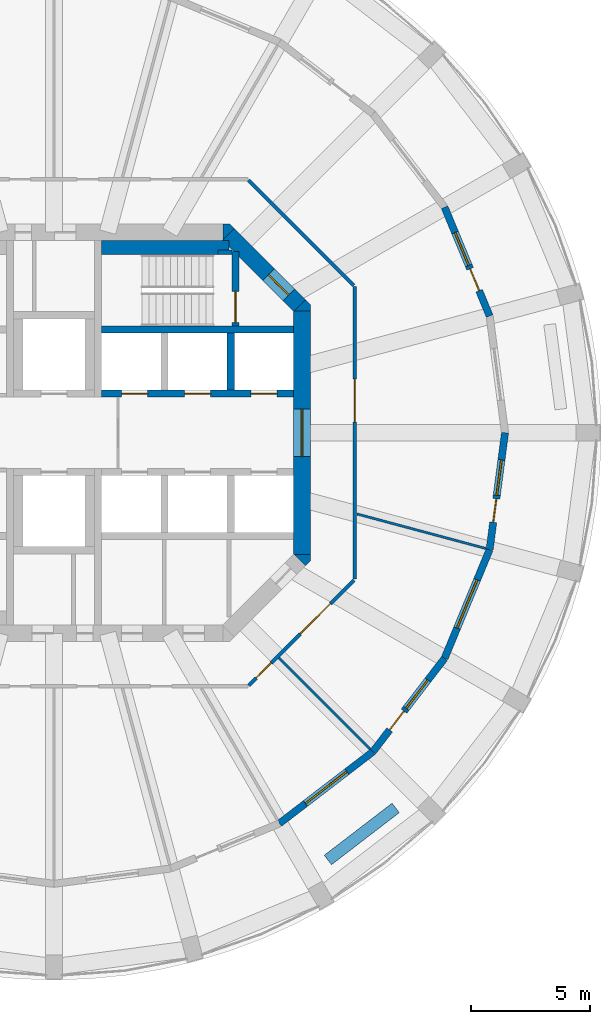
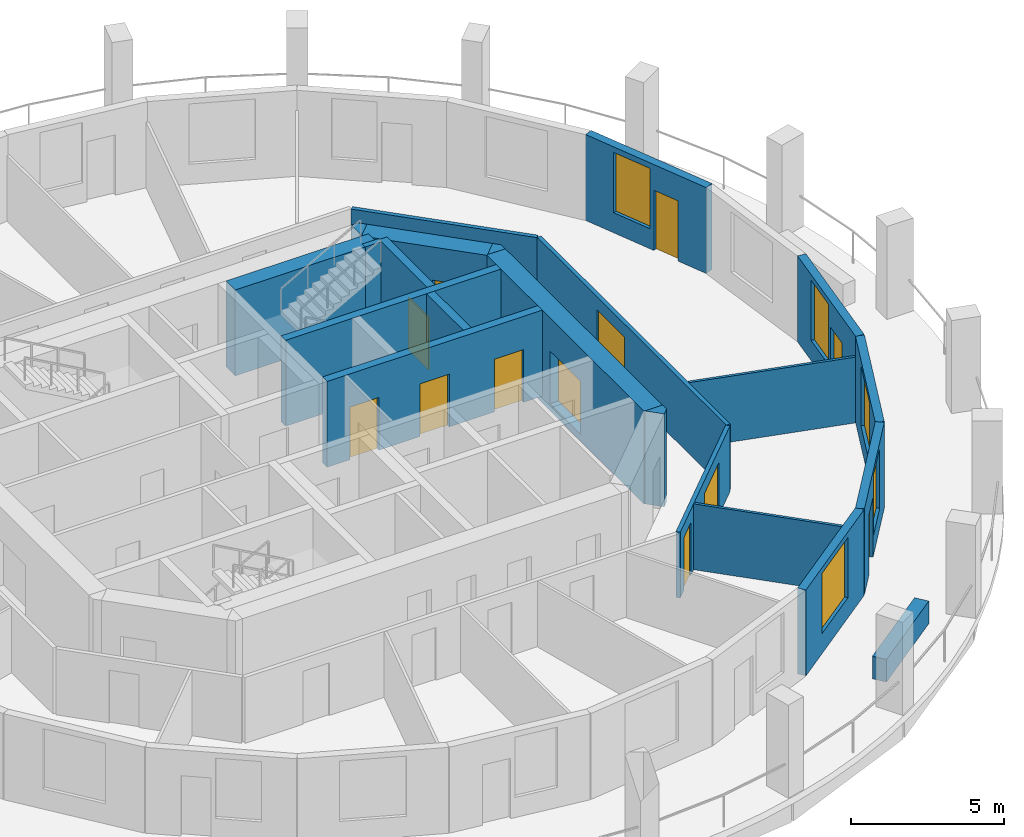
# One storey, part 5 of 9: 22 walls, 12 doors, 5 windows, 17 openings.
"""IFC4 building model written with IfcOpenShell, lengths in metres."""

from ifc_helpers import new_model, si_unit, direction, frame, frame_2d, origin, place, context, subcontext, project, spatial, polyline, rectangle, outline, extrude, material, layer, layer_set, type_object, element, fill, save


model = new_model("IFC4")

# Units and contexts
model_context = context("Model", 3, precision=1e-05, world=origin(), true_north=direction((0.0, 1.0)))
body_context = subcontext(model_context, "Body", "Model", "MODEL_VIEW")
ifc_project = project(units=[si_unit("LENGTHUNIT", "METRE"), si_unit("AREAUNIT", "SQUARE_METRE"), si_unit("VOLUMEUNIT", "CUBIC_METRE"), si_unit("PLANEANGLEUNIT", "RADIAN"), si_unit("MASSUNIT", "GRAM", prefix="KILO")], contexts=[model_context])

# Site, building, storey
site_placement = place(None, origin())
site = spatial("IfcSite", under=ifc_project, at=site_placement, CompositionType="ELEMENT")
building_placement = place(site_placement, origin())
building = spatial("IfcBuilding", under=site, at=building_placement, Name="Torre Triforio", CompositionType="ELEMENT")
storey_placement = place(building_placement, frame((0.0, 0.0, 180.10009765625)))
storey = spatial("IfcBuildingStorey", under=building, at=storey_placement, Name="L41", CompositionType="ELEMENT", Elevation=180.10009765625)

# Wall, opening, door
ifc_material_1 = material(Name="Concrete C50", Category="concrete")
ifc_layer_1 = layer(ifc_material_1, 0.699951171875)
ifc_layer_set_1 = layer_set([ifc_layer_1], Name="Concrete C50")
wall_type_1 = type_object("IfcWallType", Name="Core wall 700 mm C50 EI 120", PredefinedType="SHEAR", material=ifc_layer_set_1)
wall_1_placement = place(storey_placement, frame((10.449951171875, -5.1298828125, -0.280029296875), z_axis=(0.0, 0.0, 1.0), x_axis=(0.0, 1.0, 0.0)))
wall_1 = element("IfcWall", 1, at=wall_1_placement, inside=storey, type_object=wall_type_1, Name="Core wall", PredefinedType="SHEAR", context=body_context, shape_type="SweptSolid", body=[
    extrude(rectangle(XDim=10.259765625, YDim=0.699951171875, at=frame_2d((5.1298828125, 0.0))), origin(), (0.0, 0.0, 1.0), 3.699951171875),
])
opening_1_placement = place(wall_1_placement, frame((4.1298828125, 0.0, 0.280029296875)))
opening_1 = element("IfcOpeningElement", 2, at=opening_1_placement, cuts=wall_1, Name="Opening E-RING", PredefinedType="OPENING", context=body_context, shape_type="SweptSolid", body=[
    extrude(rectangle(XDim=2.0, YDim=2.10009765625, at=frame_2d((1.0, 1.050048828125))), frame((0.0, 0.35986328125, 0.0), z_axis=(0.0, -1.0, 0.0), x_axis=(1.0, 0.0, 0.0)), (0.0, 0.0, 1.0), 0.719970703125),
])
ifc_material_2 = material(Name="Hollow metal fire door leaf")
door_type_1 = type_object("IfcDoorType", Name="Lobby door 2000 x 2100 EI 60", OperationType="DOUBLE_DOOR_SINGLE_SWING", PredefinedType="DOOR", material=ifc_material_2)
door_1_placement = place(opening_1_placement, origin())
door_1 = element("IfcDoor", 3, at=door_1_placement, inside=storey, type_object=door_type_1, Name="Core door E-RING", OperationType="DOUBLE_DOOR_SINGLE_SWING", OverallHeight=2.10009765625, OverallWidth=2.0, PredefinedType="DOOR", context=body_context, shape_type="SweptSolid", body=[
    extrude(rectangle(XDim=2.0, YDim=2.10009765625, at=frame_2d((1.0, 1.050048828125))), frame((0.0, 0.02490234375, 0.0), z_axis=(0.0, -1.0, 0.0), x_axis=(1.0, 0.0, 0.0)), (0.0, 0.0, 1.0), 0.050048828125),
])
fill(opening_1, door_1)

wall_2_placement = place(storey_placement, frame((7.347412109375, 8.347412109375, -0.280029296875), z_axis=(0.0, 0.0, 1.0), x_axis=(0.707106781187, -0.707106781187, 0.0)))
wall_2 = element("IfcWall", 4, at=wall_2_placement, inside=storey, type_object=wall_type_1, Name="Core wall", PredefinedType="SHEAR", context=body_context, shape_type="SweptSolid", body=[
    extrude(rectangle(XDim=4.24267578125, YDim=0.699951171875, at=frame_2d((2.121337890625, 0.0))), origin(), (0.0, 0.0, 1.0), 3.699951171875),
])
opening_2_placement = place(wall_2_placement, frame((2.392578125, 0.0, 0.280029296875)))
opening_2 = element("IfcOpeningElement", 5, at=opening_2_placement, cuts=wall_2, Name="Opening ST2-EXIT", PredefinedType="OPENING", context=body_context, shape_type="SweptSolid", body=[
    extrude(rectangle(XDim=1.199951171875, YDim=2.10009765625, at=frame_2d((0.60009765625, 1.050048828125))), frame((0.0, 0.35986328125, 0.0), z_axis=(0.0, -1.0, 0.0), x_axis=(1.0, 0.0, 0.0)), (0.0, 0.0, 1.0), 0.719970703125),
])
door_type_2 = type_object("IfcDoorType", Name="Stair lobby door 1200 x 2100 EI 60", OperationType="NOTDEFINED", PredefinedType="DOOR", material=ifc_material_2)
door_2_placement = place(opening_2_placement, origin())
door_2 = element("IfcDoor", 6, at=door_2_placement, inside=storey, type_object=door_type_2, Name="Core door ST2-EXIT", OperationType="SINGLE_SWING_RIGHT", OverallHeight=2.10009765625, OverallWidth=1.199951171875, PredefinedType="DOOR", context=body_context, shape_type="SweptSolid", body=[
    extrude(rectangle(XDim=1.199951171875, YDim=2.10009765625, at=frame_2d((0.60009765625, 1.050048828125))), frame((0.0, 0.02490234375, 0.0), z_axis=(0.0, -1.0, 0.0), x_axis=(1.0, 0.0, 0.0)), (0.0, 0.0, 1.0), 0.050048828125),
])
fill(opening_2, door_2)

# Walls
wall_3_placement = place(storey_placement, frame((0.0, 0.0, -0.280029296875)))
element("IfcWall", 7, at=wall_3_placement, inside=storey, type_object=wall_type_1, Name="Core wall", PredefinedType="SHEAR", context=body_context, shape_type="SweptSolid", body=[
    extrude(outline(polyline([(10.800048828125, -5.389892578125), (10.594970703125, -5.594970703125), (10.594970703125, -5.594970703125), (10.594970703125, -5.594970703125), (10.1298828125, -5.1298828125), (10.800048828125, -5.1298828125), (10.800048828125, -5.1298828125), (10.800048828125, -5.389892578125)])), origin(), (0.0, 0.0, 1.0), 3.699951171875),
])
wall_4_placement = place(storey_placement, frame((0.0, 0.0, -0.280029296875)))
element("IfcWall", 8, at=wall_4_placement, inside=storey, type_object=wall_type_1, Name="Core wall", PredefinedType="SHEAR", context=body_context, shape_type="SweptSolid", body=[
    extrude(outline(polyline([(10.800048828125, 5.389892578125), (10.800048828125, 5.1298828125), (10.800048828125, 5.1298828125), (10.1298828125, 5.1298828125), (10.594970703125, 5.594970703125), (10.594970703125, 5.594970703125), (10.594970703125, 5.594970703125), (10.800048828125, 5.389892578125)])), origin(), (0.0, 0.0, 1.0), 3.699951171875),
])
wall_5_placement = place(storey_placement, frame((0.0, 0.0, -0.280029296875)))
element("IfcWall", 9, at=wall_5_placement, inside=storey, type_object=wall_type_1, Name="Core wall", PredefinedType="SHEAR", context=body_context, shape_type="SweptSolid", body=[
    extrude(outline(polyline([(7.389892578125, 8.800048828125), (7.594970703125, 8.594970703125), (7.594970703125, 8.594970703125), (7.594970703125, 8.594970703125), (7.1298828125, 8.1298828125), (7.1298828125, 8.800048828125), (7.1298828125, 8.800048828125), (7.389892578125, 8.800048828125)])), origin(), (0.0, 0.0, 1.0), 3.699951171875),
])

# Wall, openings, doors
ifc_material_3 = material(Name="Plasterboard on metal studs")
ifc_layer_2 = layer(ifc_material_3, 0.14990234375)
ifc_layer_set_2 = layer_set([ifc_layer_2], Name="Plasterboard on metal studs")
wall_type_2 = type_object("IfcWallType", Name="Corridor and tenancy wall 150 mm EI 60", PredefinedType="PARTITIONING", material=ifc_layer_set_2)
wall_6_placement = place(storey_placement, frame((12.637939453125, -6.20361328125, 0.0), z_axis=(0.0, 0.0, 1.0), x_axis=(-0.707106781187, -0.707106781187, 0.0)))
wall_6 = element("IfcWall", 10, at=wall_6_placement, inside=storey, type_object=wall_type_2, Name="Partition 1", PredefinedType="PARTITIONING", context=body_context, shape_type="SweptSolid", body=[
    extrude(rectangle(XDim=6.27099609375, YDim=0.14990234375, at=frame_2d((3.135498046875, 0.0))), origin(), (0.0, 0.0, 1.0), 2.619873046875),
])
opening_3_placement = place(wall_6_placement, frame((4.935302734375, 0.0, 0.0)))
opening_3 = element("IfcOpeningElement", 11, at=opening_3_placement, cuts=wall_6, Name="Opening O3-08", PredefinedType="OPENING", context=body_context, shape_type="SweptSolid", body=[
    extrude(rectangle(XDim=0.89990234375, YDim=2.10009765625, at=frame_2d((0.449951171875, 1.050048828125))), frame((0.0, 0.0849609375, 0.0), z_axis=(0.0, -1.0, 0.0), x_axis=(1.0, 0.0, 0.0)), (0.0, 0.0, 1.0), 0.169921875),
])
opening_4_placement = place(wall_6_placement, frame((1.39990234375, 0.0, 0.0)))
opening_4 = element("IfcOpeningElement", 12, at=opening_4_placement, cuts=wall_6, Name="Opening O3-09", PredefinedType="OPENING", context=body_context, shape_type="SweptSolid", body=[
    extrude(rectangle(XDim=1.800048828125, YDim=2.10009765625, at=frame_2d((0.89990234375, 1.050048828125))), frame((0.0, 0.0849609375, 0.0), z_axis=(0.0, -1.0, 0.0), x_axis=(1.0, 0.0, 0.0)), (0.0, 0.0, 1.0), 0.169921875),
])
ifc_material_4 = material(Name="Timber", Category="wood")
door_type_3 = type_object("IfcDoorType", Name="Door 1800 x 2100 double leaf EI 30", OperationType="DOUBLE_DOOR_SINGLE_SWING", PredefinedType="DOOR", material=ifc_material_4)
door_3_placement = place(opening_4_placement, origin())
door_3 = element("IfcDoor", 13, at=door_3_placement, inside=storey, type_object=door_type_3, Name="Door O3-09", OperationType="DOUBLE_DOOR_SINGLE_SWING", OverallHeight=2.10009765625, OverallWidth=1.800048828125, PredefinedType="DOOR", context=body_context, shape_type="SweptSolid", body=[
    extrude(rectangle(XDim=1.800048828125, YDim=2.10009765625, at=frame_2d((0.89990234375, 1.050048828125))), frame((0.0, 0.02490234375, 0.0), z_axis=(0.0, -1.0, 0.0), x_axis=(1.0, 0.0, 0.0)), (0.0, 0.0, 1.0), 0.050048828125),
])
fill(opening_4, door_3)
door_type_4 = type_object("IfcDoorType", Name="Door 900 x 2100 single leaf EI 30", OperationType="NOTDEFINED", PredefinedType="DOOR", material=ifc_material_4)
door_4_placement = place(opening_3_placement, origin())
door_4 = element("IfcDoor", 14, at=door_4_placement, inside=storey, type_object=door_type_4, Name="Door O3-08", OperationType="SINGLE_SWING_LEFT", OverallHeight=2.10009765625, OverallWidth=0.89990234375, PredefinedType="DOOR", context=body_context, shape_type="SweptSolid", body=[
    extrude(rectangle(XDim=0.89990234375, YDim=2.10009765625, at=frame_2d((0.449951171875, 1.050048828125))), frame((0.0, 0.02490234375, 0.0), z_axis=(0.0, -1.0, 0.0), x_axis=(1.0, 0.0, 0.0)), (0.0, 0.0, 1.0), 0.050048828125),
])
fill(opening_3, door_4)

# Wall
wall_7_placement = place(storey_placement, frame((8.20361328125, 10.637939453125, 0.0), z_axis=(0.0, 0.0, 1.0), x_axis=(0.707106781187, -0.707106781187, 0.0)))
element("IfcWall", 15, at=wall_7_placement, inside=storey, type_object=wall_type_2, Name="Partition 7", PredefinedType="PARTITIONING", context=body_context, shape_type="SweptSolid", body=[
    extrude(rectangle(XDim=6.27099609375, YDim=0.14990234375, at=frame_2d((3.135498046875, 0.0))), origin(), (0.0, 0.0, 1.0), 2.619873046875),
])

# Wall, opening, door
wall_8_placement = place(storey_placement, frame((12.675048828125, 6.16650390625, 0.0), z_axis=(0.0, 0.0, 1.0), x_axis=(0.0, -1.0, 0.0)))
wall_8 = element("IfcWall", 16, at=wall_8_placement, inside=storey, type_object=wall_type_2, Name="Partition 8", PredefinedType="PARTITIONING", context=body_context, shape_type="SweptSolid", body=[
    extrude(rectangle(XDim=12.3330078125, YDim=0.14990234375, at=frame_2d((6.16650390625, 0.0))), origin(), (0.0, 0.0, 1.0), 2.619873046875),
])
opening_5_placement = place(wall_8_placement, frame((3.9072265625, 0.0, 0.0)))
opening_5 = element("IfcOpeningElement", 17, at=opening_5_placement, cuts=wall_8, Name="Opening O3-10", PredefinedType="OPENING", context=body_context, shape_type="SweptSolid", body=[
    extrude(rectangle(XDim=1.800048828125, YDim=2.10009765625, at=frame_2d((0.89990234375, 1.050048828125))), frame((0.0, 0.0849609375, 0.0), z_axis=(0.0, -1.0, 0.0), x_axis=(1.0, 0.0, 0.0)), (0.0, 0.0, 1.0), 0.169921875),
])
door_5_placement = place(opening_5_placement, origin())
door_5 = element("IfcDoor", 18, at=door_5_placement, inside=storey, type_object=door_type_3, Name="Door O3-10", OperationType="DOUBLE_DOOR_SINGLE_SWING", OverallHeight=2.10009765625, OverallWidth=1.800048828125, PredefinedType="DOOR", context=body_context, shape_type="SweptSolid", body=[
    extrude(rectangle(XDim=1.800048828125, YDim=2.10009765625, at=frame_2d((0.89990234375, 1.050048828125))), frame((0.0, 0.02490234375, 0.0), z_axis=(0.0, -1.0, 0.0), x_axis=(1.0, 0.0, 0.0)), (0.0, 0.0, 1.0), 0.050048828125),
])
fill(opening_5, door_5)

# Walls
ifc_layer_3 = layer(ifc_material_3, 0.10009765625)
ifc_layer_set_3 = layer_set([ifc_layer_3], Name="Plasterboard on metal studs")
wall_type_3 = type_object("IfcWallType", Name="Partition 100 mm board on metal studs", PredefinedType="PARTITIONING", material=ifc_layer_set_3)
wall_9_placement = place(storey_placement, frame((9.473876953125, -9.473876953125, 0.0), z_axis=(0.0, 0.0, 1.0), x_axis=(0.707106781187, -0.707106781187, 0.0)))
element("IfcWall", 19, at=wall_9_placement, inside=storey, type_object=wall_type_3, Name="Partition 22", PredefinedType="PARTITIONING", context=body_context, shape_type="SweptSolid", body=[
    extrude(rectangle(XDim=5.438720703125, YDim=0.10009765625, at=frame_2d((2.71923828125, 0.0))), origin(), (0.0, 0.0, 1.0), 2.619873046875),
])
wall_10_placement = place(storey_placement, frame((12.764404296875, -3.420166015625, 0.0), z_axis=(0.0, 0.0, 1.0), x_axis=(0.965925759926, -0.258819292773, 0.0)))
element("IfcWall", 20, at=wall_10_placement, inside=storey, type_object=wall_type_3, Name="Partition 23", PredefinedType="PARTITIONING", context=body_context, shape_type="SweptSolid", body=[
    extrude(rectangle(XDim=5.6220703125, YDim=0.10009765625, at=frame_2d((2.81103515625, 0.0))), origin(), (0.0, 0.0, 1.0), 2.619873046875),
])
ifc_material_5 = material(Name="Limestone cladding", Category="masonry")
ifc_layer_4 = layer(ifc_material_5, 0.10009765625)
ifc_material_6 = material(Name="Concrete C40", Category="concrete")
ifc_layer_5 = layer(ifc_material_6, 0.39990234375)
ifc_layer_set_4 = layer_set([ifc_layer_4, ifc_layer_5], Name="Limestone cladding / Concrete C40")
wall_type_4 = type_object("IfcWallType", Name="Planter wall 500", PredefinedType="PARAPET", material=ifc_layer_set_4)
wall_11_placement = place(storey_placement, frame((11.53857421875, -17.994140625, 0.0), z_axis=(0.0, 0.0, 1.0), x_axis=(0.793384730612, 0.608720518162, 0.0)))
element("IfcWall", 21, at=wall_11_placement, inside=storey, type_object=wall_type_4, Name="Planter L41 bay 21", PredefinedType="PARAPET", context=body_context, shape_type="SweptSolid", body=[
    extrude(rectangle(XDim=3.60009765625, YDim=0.5, at=frame_2d((1.800048828125, 0.0))), origin(), (0.0, 0.0, 1.0), 0.89990234375),
])
ifc_layer_6 = layer(ifc_material_1, 0.300048828125)
ifc_layer_set_5 = layer_set([ifc_layer_6], Name="Concrete C50")
wall_type_5 = type_object("IfcWallType", Name="Shaft wall 300 mm C50 EI 120", PredefinedType="SOLIDWALL", material=ifc_layer_set_5)
wall_12_placement = place(storey_placement, frame((2.0, 4.35009765625, 0.0), z_axis=(0.0, 0.0, 1.0), x_axis=(1.0, 0.0, 0.0)))
element("IfcWall", 22, at=wall_12_placement, inside=storey, type_object=wall_type_5, Name="Shaft wall", PredefinedType="SOLIDWALL", context=body_context, shape_type="SweptSolid", body=[
    extrude(rectangle(XDim=8.10009765625, YDim=0.300048828125, at=frame_2d((4.050048828125, 0.0))), origin(), (0.0, 0.0, 1.0), 3.419921875),
])

# Wall, openings, doors
wall_13_placement = place(storey_placement, frame((2.0, 1.64990234375, 0.0), z_axis=(0.0, 0.0, 1.0), x_axis=(1.0, 0.0, 0.0)))
wall_13 = element("IfcWall", 23, at=wall_13_placement, inside=storey, type_object=wall_type_5, Name="Shaft wall", PredefinedType="SOLIDWALL", context=body_context, shape_type="SweptSolid", body=[
    extrude(rectangle(XDim=8.10009765625, YDim=0.300048828125, at=frame_2d((4.050048828125, 0.0))), origin(), (0.0, 0.0, 1.0), 3.419921875),
])
opening_6_placement = place(wall_13_placement, frame((0.85009765625, 0.0, 0.0)))
opening_6 = element("IfcOpeningElement", 24, at=opening_6_placement, cuts=wall_13, Name="Opening LD", PredefinedType="OPENING", context=body_context, shape_type="SweptSolid", body=[
    extrude(rectangle(XDim=1.10009765625, YDim=2.10009765625, at=frame_2d((0.550048828125, 1.050048828125))), frame((0.0, 0.159912109375, 0.0), z_axis=(0.0, -1.0, 0.0), x_axis=(1.0, 0.0, 0.0)), (0.0, 0.0, 1.0), 0.320068359375),
])
opening_7_placement = place(wall_13_placement, frame((3.5, 0.0, 0.0)))
opening_7 = element("IfcOpeningElement", 25, at=opening_7_placement, cuts=wall_13, Name="Opening LD", PredefinedType="OPENING", context=body_context, shape_type="SweptSolid", body=[
    extrude(rectangle(XDim=1.10009765625, YDim=2.10009765625, at=frame_2d((0.550048828125, 1.050048828125))), frame((0.0, 0.159912109375, 0.0), z_axis=(0.0, -1.0, 0.0), x_axis=(1.0, 0.0, 0.0)), (0.0, 0.0, 1.0), 0.320068359375),
])
opening_8_placement = place(wall_13_placement, frame((6.300048828125, 0.0, 0.0)))
opening_8 = element("IfcOpeningElement", 26, at=opening_8_placement, cuts=wall_13, Name="Opening LD", PredefinedType="OPENING", context=body_context, shape_type="SweptSolid", body=[
    extrude(rectangle(XDim=1.10009765625, YDim=2.10009765625, at=frame_2d((0.550048828125, 1.050048828125))), frame((0.0, 0.159912109375, 0.0), z_axis=(0.0, -1.0, 0.0), x_axis=(1.0, 0.0, 0.0)), (0.0, 0.0, 1.0), 0.320068359375),
])
door_type_5 = type_object("IfcDoorType", Name="Landing door 1100 x 2100 EI 60", OperationType="DOUBLE_DOOR_SLIDING", PredefinedType="DOOR", material=ifc_material_2)
door_6_placement = place(opening_6_placement, origin())
door_6 = element("IfcDoor", 27, at=door_6_placement, inside=storey, type_object=door_type_5, Name="Landing door HR1", OperationType="DOUBLE_DOOR_SLIDING", OverallHeight=2.10009765625, OverallWidth=1.10009765625, PredefinedType="DOOR", context=body_context, shape_type="SweptSolid", body=[
    extrude(rectangle(XDim=1.10009765625, YDim=2.10009765625, at=frame_2d((0.550048828125, 1.050048828125))), frame((0.0, 0.02490234375, 0.0), z_axis=(0.0, -1.0, 0.0), x_axis=(1.0, 0.0, 0.0)), (0.0, 0.0, 1.0), 0.050048828125),
])
fill(opening_6, door_6)
door_7_placement = place(opening_7_placement, origin())
door_7 = element("IfcDoor", 28, at=door_7_placement, inside=storey, type_object=door_type_5, Name="Landing door HR2", OperationType="DOUBLE_DOOR_SLIDING", OverallHeight=2.10009765625, OverallWidth=1.10009765625, PredefinedType="DOOR", context=body_context, shape_type="SweptSolid", body=[
    extrude(rectangle(XDim=1.10009765625, YDim=2.10009765625, at=frame_2d((0.550048828125, 1.050048828125))), frame((0.0, 0.02490234375, 0.0), z_axis=(0.0, -1.0, 0.0), x_axis=(1.0, 0.0, 0.0)), (0.0, 0.0, 1.0), 0.050048828125),
])
fill(opening_7, door_7)
door_8_placement = place(opening_8_placement, origin())
door_8 = element("IfcDoor", 29, at=door_8_placement, inside=storey, type_object=door_type_5, Name="Landing door HR3", OperationType="DOUBLE_DOOR_SLIDING", OverallHeight=2.10009765625, OverallWidth=1.10009765625, PredefinedType="DOOR", context=body_context, shape_type="SweptSolid", body=[
    extrude(rectangle(XDim=1.10009765625, YDim=2.10009765625, at=frame_2d((0.550048828125, 1.050048828125))), frame((0.0, 0.02490234375, 0.0), z_axis=(0.0, -1.0, 0.0), x_axis=(1.0, 0.0, 0.0)), (0.0, 0.0, 1.0), 0.050048828125),
])
fill(opening_8, door_8)

# Walls
wall_14_placement = place(storey_placement, frame((7.449951171875, 1.800048828125, 0.0), z_axis=(0.0, 0.0, 1.0), x_axis=(0.0, 1.0, 0.0)))
element("IfcWall", 30, at=wall_14_placement, inside=storey, type_object=wall_type_5, Name="Shaft wall", PredefinedType="SOLIDWALL", context=body_context, shape_type="SweptSolid", body=[
    extrude(rectangle(XDim=2.39990234375, YDim=0.300048828125, at=frame_2d((1.199951171875, 0.0))), origin(), (0.0, 0.0, 1.0), 3.419921875),
])
ifc_layer_7 = layer(ifc_material_1, 0.199951171875)
ifc_layer_set_6 = layer_set([ifc_layer_7], Name="Concrete C50")
wall_type_6 = type_object("IfcWallType", Name="Stair wall 200 mm C50 EI 120", PredefinedType="SHEAR", material=ifc_layer_set_6)
wall_15_placement = place(storey_placement, frame((6.89990234375, 7.60009765625, 0.0), z_axis=(0.0, 0.0, 1.0), x_axis=(1.0, 0.0, 0.0)))
element("IfcWall", 31, at=wall_15_placement, inside=storey, type_object=wall_type_6, Name="Stair wall", PredefinedType="SHEAR", context=body_context, shape_type="SweptSolid", body=[
    extrude(rectangle(XDim=0.60009765625, YDim=0.199951171875, at=frame_2d((0.300048828125, 0.0))), origin(), (0.0, 0.0, 1.0), 3.419921875),
])

# Wall, opening, door
ifc_layer_8 = layer(ifc_material_1, 0.300048828125)
ifc_layer_set_7 = layer_set([ifc_layer_8], Name="Concrete C50")
wall_type_7 = type_object("IfcWallType", Name="Stair wall 300 mm C50 EI 120", PredefinedType="SHEAR", material=ifc_layer_set_7)
wall_16_placement = place(storey_placement, frame((7.64990234375, 4.5, 0.0), z_axis=(0.0, 0.0, 1.0), x_axis=(0.0, 1.0, 0.0)))
wall_16 = element("IfcWall", 32, at=wall_16_placement, inside=storey, type_object=wall_type_7, Name="Stair wall", PredefinedType="SHEAR", context=body_context, shape_type="SweptSolid", body=[
    extrude(rectangle(XDim=3.139892578125, YDim=0.300048828125, at=frame_2d((1.56982421875, 0.0))), origin(), (0.0, 0.0, 1.0), 3.419921875),
])
opening_9_placement = place(wall_16_placement, frame((0.139892578125, 0.0, 0.0)))
opening_9 = element("IfcOpeningElement", 33, at=opening_9_placement, cuts=wall_16, Name="Opening ST2-STA", PredefinedType="OPENING", context=body_context, shape_type="SweptSolid", body=[
    extrude(rectangle(XDim=1.320068359375, YDim=2.10009765625, at=frame_2d((0.66015625, 1.050048828125))), frame((0.0, 0.159912109375, 0.0), z_axis=(0.0, -1.0, 0.0), x_axis=(1.0, 0.0, 0.0)), (0.0, 0.0, 1.0), 0.320068359375),
])
door_type_6 = type_object("IfcDoorType", Name="Stair door 1320 x 2100 EI 90", OperationType="DOUBLE_DOOR_SINGLE_SWING", PredefinedType="DOOR", material=ifc_material_2)
door_9_placement = place(opening_9_placement, origin())
door_9 = element("IfcDoor", 34, at=door_9_placement, inside=storey, type_object=door_type_6, Name="Core door ST2-ST", OperationType="DOUBLE_DOOR_SINGLE_SWING", OverallHeight=2.10009765625, OverallWidth=1.320068359375, PredefinedType="DOOR", context=body_context, shape_type="SweptSolid", body=[
    extrude(rectangle(XDim=1.320068359375, YDim=2.10009765625, at=frame_2d((0.66015625, 1.050048828125))), frame((0.0, 0.02490234375, 0.0), z_axis=(0.0, -1.0, 0.0), x_axis=(1.0, 0.0, 0.0)), (0.0, 0.0, 1.0), 0.050048828125),
])
fill(opening_9, door_9)

# Wall
ifc_layer_9 = layer(ifc_material_1, 0.60009765625)
ifc_layer_set_8 = layer_set([ifc_layer_9], Name="Concrete C50")
wall_type_8 = type_object("IfcWallType", Name="Stair wall 600 mm C50 EI 120", PredefinedType="SHEAR", material=ifc_layer_set_8)
wall_17_placement = place(storey_placement, frame((2.0, 7.800048828125, 0.0), z_axis=(0.0, 0.0, 1.0), x_axis=(1.0, 0.0, 0.0)))
element("IfcWall", 35, at=wall_17_placement, inside=storey, type_object=wall_type_8, Name="Stair wall", PredefinedType="SHEAR", context=body_context, shape_type="SweptSolid", body=[
    extrude(rectangle(XDim=5.3701171875, YDim=0.60009765625, at=frame_2d((2.68505859375, 0.0))), origin(), (0.0, 0.0, 1.0), 3.419921875),
])

# Wall, openings, door, window
ifc_layer_10 = layer(ifc_material_5, 0.10009765625)
ifc_layer_11 = layer(ifc_material_6, 0.199951171875)
ifc_layer_set_9 = layer_set([ifc_layer_10, ifc_layer_11], Name="Limestone cladding / Concrete C40")
wall_type_9 = type_object("IfcWallType", Name="Stone-faced composite wall 300", PredefinedType="STANDARD", material=ifc_layer_set_9)
wall_18_placement = place(storey_placement, frame((18.3525390625, 4.91748046875, 0.0), z_axis=(0.0, 0.0, 1.0), x_axis=(-0.382650301762, 0.923893254961, 0.0)))
wall_18 = element("IfcWall", 36, at=wall_18_placement, inside=storey, type_object=wall_type_9, Name="External wall L41 bay 02", PredefinedType="STANDARD", context=body_context, shape_type="SweptSolid", body=[
    extrude(rectangle(XDim=4.9599609375, YDim=0.300048828125, at=frame_2d((2.47998046875, 0.0))), origin(), (0.0, 0.0, 1.0), 3.419921875),
])
opening_10_placement = place(wall_18_placement, frame((1.155029296875, 0.0, 0.0)))
opening_10 = element("IfcOpeningElement", 37, at=opening_10_placement, cuts=wall_18, Name="Opening O3-D02", PredefinedType="OPENING", context=body_context, shape_type="SweptSolid", body=[
    extrude(rectangle(XDim=1.0, YDim=2.39990234375, at=frame_2d((0.5, 1.199951171875))), frame((0.0, 0.159912109375, 0.0), z_axis=(0.0, -1.0, 0.0), x_axis=(1.0, 0.0, 0.0)), (0.0, 0.0, 1.0), 0.320068359375),
])
opening_11_placement = place(wall_18_placement, frame((2.304931640625, 0.0, 0.800048828125)))
opening_11 = element("IfcOpeningElement", 38, at=opening_11_placement, cuts=wall_18, Name="Opening O3-W02A", PredefinedType="OPENING", context=body_context, shape_type="SweptSolid", body=[
    extrude(rectangle(XDim=1.5, YDim=2.39990234375, at=frame_2d((0.75, 1.199951171875))), frame((0.0, 0.159912109375, 0.0), z_axis=(0.0, -1.0, 0.0), x_axis=(1.0, 0.0, 0.0)), (0.0, 0.0, 1.0), 0.320068359375),
])
ifc_material_7 = material(Name="Aluminium frame with clear double glazing", Category="aluminium")
door_type_7 = type_object("IfcDoorType", Name="Loggia door 1000 x 2400", OperationType="NOTDEFINED", PredefinedType="DOOR", material=ifc_material_7)
door_10_placement = place(opening_10_placement, origin())
door_10 = element("IfcDoor", 39, at=door_10_placement, inside=storey, type_object=door_type_7, Name="Loggia door L41 bay 02", OperationType="SINGLE_SWING_LEFT", OverallHeight=2.39990234375, OverallWidth=1.0, PredefinedType="DOOR", context=body_context, shape_type="SweptSolid", body=[
    extrude(rectangle(XDim=1.0, YDim=2.39990234375, at=frame_2d((0.5, 1.199951171875))), frame((0.0, 0.02490234375, 0.0), z_axis=(0.0, -1.0, 0.0), x_axis=(1.0, 0.0, 0.0)), (0.0, 0.0, 1.0), 0.050048828125),
])
fill(opening_10, door_10)
window_type_1 = type_object("IfcWindowType", Name="Side window 1500 x 2400", PartitioningType="SINGLE_PANEL", PredefinedType="WINDOW", material=ifc_material_7)
window_1_placement = place(opening_11_placement, origin())
window_1 = element("IfcWindow", 40, at=window_1_placement, inside=storey, type_object=window_type_1, Name="Side window EWN14 L41 bay 02", OverallHeight=2.39990234375, OverallWidth=1.5, PartitioningType="SINGLE_PANEL", PredefinedType="WINDOW", context=body_context, shape_type="SweptSolid", body=[
    extrude(rectangle(XDim=1.5, YDim=2.39990234375, at=frame_2d((0.75, 1.199951171875))), frame((0.0, 0.030029296875, 0.0), z_axis=(0.0, -1.0, 0.0), x_axis=(1.0, 0.0, 0.0)), (0.0, 0.0, 1.0), 0.06005859375),
])
fill(opening_11, window_1)

# Wall, opening, window
wall_19_placement = place(storey_placement, frame((9.5, -16.45458984375, 0.0), z_axis=(0.0, 0.0, 1.0), x_axis=(0.793348024649, 0.608768356425, 0.0)))
wall_19 = element("IfcWall", 41, at=wall_19_placement, inside=storey, type_object=wall_type_9, Name="External wall L41 bay 21", PredefinedType="STANDARD", context=body_context, shape_type="SweptSolid", body=[
    extrude(rectangle(XDim=4.9599609375, YDim=0.300048828125, at=frame_2d((2.47998046875, 0.0))), origin(), (0.0, 0.0, 1.0), 3.419921875),
])
opening_12_placement = place(wall_19_placement, frame((1.3798828125, 0.0, 0.800048828125)))
opening_12 = element("IfcOpeningElement", 42, at=opening_12_placement, cuts=wall_19, Name="Opening O3-W21", PredefinedType="OPENING", context=body_context, shape_type="SweptSolid", body=[
    extrude(rectangle(XDim=2.199951171875, YDim=2.39990234375, at=frame_2d((1.10009765625, 1.199951171875))), frame((0.0, 0.159912109375, 0.0), z_axis=(0.0, -1.0, 0.0), x_axis=(1.0, 0.0, 0.0)), (0.0, 0.0, 1.0), 0.320068359375),
])
window_type_2 = type_object("IfcWindowType", Name="Punched window 2200 x 2400", PartitioningType="DOUBLE_PANEL_VERTICAL", PredefinedType="WINDOW", material=ifc_material_7)
window_2_placement = place(opening_12_placement, origin())
window_2 = element("IfcWindow", 43, at=window_2_placement, inside=storey, type_object=window_type_2, Name="Window EWN5 L41 bay 21", OverallHeight=2.39990234375, OverallWidth=2.199951171875, PartitioningType="SINGLE_PANEL", PredefinedType="WINDOW", context=body_context, shape_type="SweptSolid", body=[
    extrude(rectangle(XDim=2.199951171875, YDim=2.39990234375, at=frame_2d((1.10009765625, 1.199951171875))), frame((0.0, 0.030029296875, 0.0), z_axis=(0.0, -1.0, 0.0), x_axis=(1.0, 0.0, 0.0)), (0.0, 0.0, 1.0), 0.06005859375),
])
fill(opening_12, window_2)

# Wall, openings, door, window
wall_20_placement = place(storey_placement, frame((13.43505859375, -13.43505859375, 0.0), z_axis=(0.0, 0.0, 1.0), x_axis=(0.608768356425, 0.793348024649, 0.0)))
wall_20 = element("IfcWall", 44, at=wall_20_placement, inside=storey, type_object=wall_type_9, Name="External wall L41 bay 22", PredefinedType="STANDARD", context=body_context, shape_type="SweptSolid", body=[
    extrude(rectangle(XDim=4.9599609375, YDim=0.300048828125, at=frame_2d((2.47998046875, 0.0))), origin(), (0.0, 0.0, 1.0), 3.419921875),
])
opening_13_placement = place(wall_20_placement, frame((1.155029296875, 0.0, 0.0)))
opening_13 = element("IfcOpeningElement", 45, at=opening_13_placement, cuts=wall_20, Name="Opening O3-D22", PredefinedType="OPENING", context=body_context, shape_type="SweptSolid", body=[
    extrude(rectangle(XDim=1.0, YDim=2.39990234375, at=frame_2d((0.5, 1.199951171875))), frame((0.0, 0.159912109375, 0.0), z_axis=(0.0, -1.0, 0.0), x_axis=(1.0, 0.0, 0.0)), (0.0, 0.0, 1.0), 0.320068359375),
])
opening_14_placement = place(wall_20_placement, frame((2.304931640625, 0.0, 0.800048828125)))
opening_14 = element("IfcOpeningElement", 46, at=opening_14_placement, cuts=wall_20, Name="Opening O3-W22A", PredefinedType="OPENING", context=body_context, shape_type="SweptSolid", body=[
    extrude(rectangle(XDim=1.5, YDim=2.39990234375, at=frame_2d((0.75, 1.199951171875))), frame((0.0, 0.159912109375, 0.0), z_axis=(0.0, -1.0, 0.0), x_axis=(1.0, 0.0, 0.0)), (0.0, 0.0, 1.0), 0.320068359375),
])
door_11_placement = place(opening_13_placement, origin())
door_11 = element("IfcDoor", 47, at=door_11_placement, inside=storey, type_object=door_type_7, Name="Loggia door L41 bay 22", OperationType="SINGLE_SWING_LEFT", OverallHeight=2.39990234375, OverallWidth=1.0, PredefinedType="DOOR", context=body_context, shape_type="SweptSolid", body=[
    extrude(rectangle(XDim=1.0, YDim=2.39990234375, at=frame_2d((0.5, 1.199951171875))), frame((0.0, 0.02490234375, 0.0), z_axis=(0.0, -1.0, 0.0), x_axis=(1.0, 0.0, 0.0)), (0.0, 0.0, 1.0), 0.050048828125),
])
fill(opening_13, door_11)
window_3_placement = place(opening_14_placement, origin())
window_3 = element("IfcWindow", 48, at=window_3_placement, inside=storey, type_object=window_type_1, Name="Side window EWN14 L41 bay 22", OverallHeight=2.39990234375, OverallWidth=1.5, PartitioningType="SINGLE_PANEL", PredefinedType="WINDOW", context=body_context, shape_type="SweptSolid", body=[
    extrude(rectangle(XDim=1.5, YDim=2.39990234375, at=frame_2d((0.75, 1.199951171875))), frame((0.0, 0.030029296875, 0.0), z_axis=(0.0, -1.0, 0.0), x_axis=(1.0, 0.0, 0.0)), (0.0, 0.0, 1.0), 0.06005859375),
])
fill(opening_14, window_3)

# Wall, opening, window
wall_21_placement = place(storey_placement, frame((16.45458984375, -9.5, 0.0), z_axis=(0.0, 0.0, 1.0), x_axis=(0.382650301762, 0.923893254961, 0.0)))
wall_21 = element("IfcWall", 49, at=wall_21_placement, inside=storey, type_object=wall_type_9, Name="External wall L41 bay 23", PredefinedType="STANDARD", context=body_context, shape_type="SweptSolid", body=[
    extrude(rectangle(XDim=4.9599609375, YDim=0.300048828125, at=frame_2d((2.47998046875, 0.0))), origin(), (0.0, 0.0, 1.0), 3.419921875),
])
opening_15_placement = place(wall_21_placement, frame((1.3798828125, 0.0, 0.800048828125)))
opening_15 = element("IfcOpeningElement", 50, at=opening_15_placement, cuts=wall_21, Name="Opening O3-W23", PredefinedType="OPENING", context=body_context, shape_type="SweptSolid", body=[
    extrude(rectangle(XDim=2.199951171875, YDim=2.39990234375, at=frame_2d((1.10009765625, 1.199951171875))), frame((0.0, 0.159912109375, 0.0), z_axis=(0.0, -1.0, 0.0), x_axis=(1.0, 0.0, 0.0)), (0.0, 0.0, 1.0), 0.320068359375),
])
window_4_placement = place(opening_15_placement, origin())
window_4 = element("IfcWindow", 51, at=window_4_placement, inside=storey, type_object=window_type_2, Name="Window EWN5 L41 bay 23", OverallHeight=2.39990234375, OverallWidth=2.199951171875, PartitioningType="SINGLE_PANEL", PredefinedType="WINDOW", context=body_context, shape_type="SweptSolid", body=[
    extrude(rectangle(XDim=2.199951171875, YDim=2.39990234375, at=frame_2d((1.10009765625, 1.199951171875))), frame((0.0, 0.030029296875, 0.0), z_axis=(0.0, -1.0, 0.0), x_axis=(1.0, 0.0, 0.0)), (0.0, 0.0, 1.0), 0.06005859375),
])
fill(opening_15, window_4)

# Wall, openings, door, window
wall_22_placement = place(storey_placement, frame((18.3525390625, -4.91748046875, 0.0), z_axis=(0.0, 0.0, 1.0), x_axis=(0.130538549191, 0.991443234469, 0.0)))
wall_22 = element("IfcWall", 52, at=wall_22_placement, inside=storey, type_object=wall_type_9, Name="External wall L41 bay 24", PredefinedType="STANDARD", context=body_context, shape_type="SweptSolid", body=[
    extrude(rectangle(XDim=4.9599609375, YDim=0.300048828125, at=frame_2d((2.47998046875, 0.0))), origin(), (0.0, 0.0, 1.0), 3.419921875),
])
opening_16_placement = place(wall_22_placement, frame((1.155029296875, 0.0, 0.0)))
opening_16 = element("IfcOpeningElement", 53, at=opening_16_placement, cuts=wall_22, Name="Opening O3-D24", PredefinedType="OPENING", context=body_context, shape_type="SweptSolid", body=[
    extrude(rectangle(XDim=1.0, YDim=2.39990234375, at=frame_2d((0.5, 1.199951171875))), frame((0.0, 0.159912109375, 0.0), z_axis=(0.0, -1.0, 0.0), x_axis=(1.0, 0.0, 0.0)), (0.0, 0.0, 1.0), 0.320068359375),
])
opening_17_placement = place(wall_22_placement, frame((2.304931640625, 0.0, 0.800048828125)))
opening_17 = element("IfcOpeningElement", 54, at=opening_17_placement, cuts=wall_22, Name="Opening O3-W24A", PredefinedType="OPENING", context=body_context, shape_type="SweptSolid", body=[
    extrude(rectangle(XDim=1.5, YDim=2.39990234375, at=frame_2d((0.75, 1.199951171875))), frame((0.0, 0.159912109375, 0.0), z_axis=(0.0, -1.0, 0.0), x_axis=(1.0, 0.0, 0.0)), (0.0, 0.0, 1.0), 0.320068359375),
])
door_12_placement = place(opening_16_placement, origin())
door_12 = element("IfcDoor", 55, at=door_12_placement, inside=storey, type_object=door_type_7, Name="Loggia door L41 bay 24", OperationType="SINGLE_SWING_LEFT", OverallHeight=2.39990234375, OverallWidth=1.0, PredefinedType="DOOR", context=body_context, shape_type="SweptSolid", body=[
    extrude(rectangle(XDim=1.0, YDim=2.39990234375, at=frame_2d((0.5, 1.199951171875))), frame((0.0, 0.02490234375, 0.0), z_axis=(0.0, -1.0, 0.0), x_axis=(1.0, 0.0, 0.0)), (0.0, 0.0, 1.0), 0.050048828125),
])
fill(opening_16, door_12)
window_5_placement = place(opening_17_placement, origin())
window_5 = element("IfcWindow", 56, at=window_5_placement, inside=storey, type_object=window_type_1, Name="Side window EWN14 L41 bay 24", OverallHeight=2.39990234375, OverallWidth=1.5, PartitioningType="SINGLE_PANEL", PredefinedType="WINDOW", context=body_context, shape_type="SweptSolid", body=[
    extrude(rectangle(XDim=1.5, YDim=2.39990234375, at=frame_2d((0.75, 1.199951171875))), frame((0.0, 0.030029296875, 0.0), z_axis=(0.0, -1.0, 0.0), x_axis=(1.0, 0.0, 0.0)), (0.0, 0.0, 1.0), 0.06005859375),
])
fill(opening_17, window_5)

save(model, "model.ifc")
